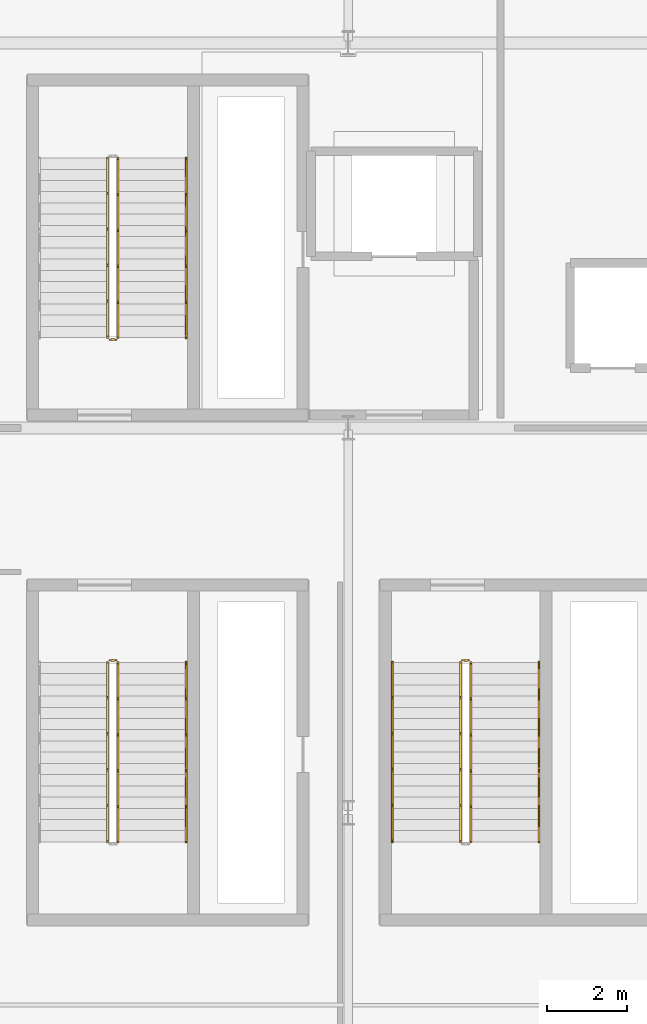
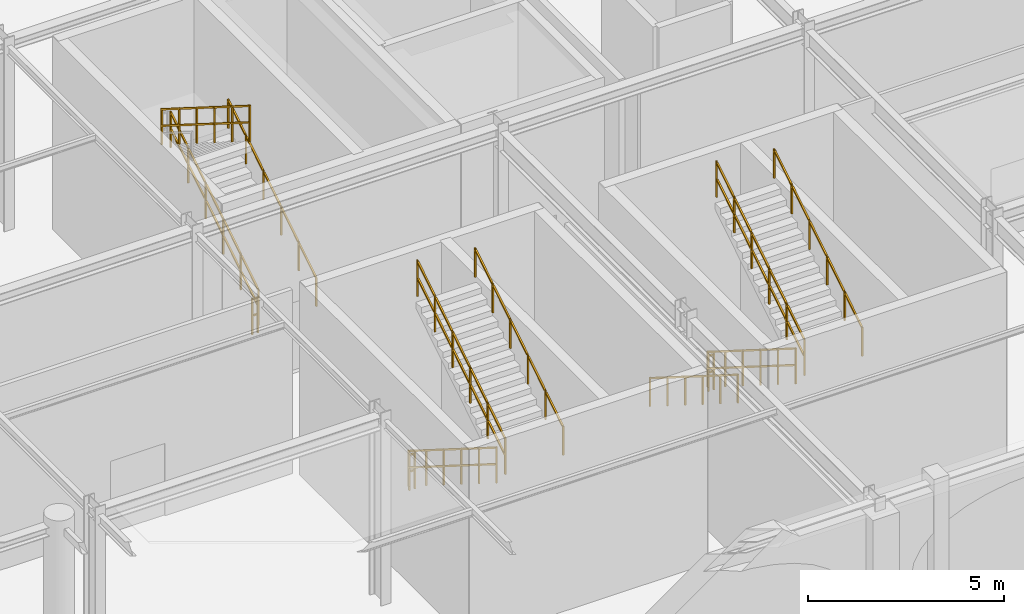
# One storey, part 107 of 113: 13 railings.
"""IFC4 building model written with IfcOpenShell, lengths in metres."""

import ifcopenshell
import ifcopenshell.guid

model = None  # the IFC model being written
_history = None  # IfcOwnerHistory: only IFC2X3 demands one
_inside = {}  # id of a spatial element -> (the spatial element, [elements in it])
_under = {}  # id of a project, library or spatial element -> (it, [spatial elements below it])
_declared = {}  # id of a project -> (the project, [libraries it declares])
_typed = {}  # id of a type object -> (the type object, [elements of that type])
_made_of = {}  # id of a material, layer set ... -> (it, [elements and type objects made of it])


def new_model(schema):
    """Start an empty IFC model of exactly this schema.

    Asked for "IFC4X3", IfcOpenShell would pick the latest addendum, in which some entities
    have other attributes; the version numbers below select the first issue.
    IFC2X3 requires an IfcOwnerHistory on every rooted entity: one is made here for all.
    """
    global model, _history
    if schema == "IFC4X3":
        model = ifcopenshell.file(schema_version=(4, 3, 0, 0))
    else:
        model = ifcopenshell.file(schema=schema)
    _inside.clear()
    _under.clear()
    _declared.clear()
    _typed.clear()
    _made_of.clear()
    _history = None
    if model.schema == "IFC2X3":
        org = make("IfcOrganization", Name="unknown")
        user = make(
            "IfcPersonAndOrganization",
            ThePerson=make("IfcPerson", FamilyName="unknown"),
            TheOrganization=org,
        )
        app = make(
            "IfcApplication",
            ApplicationDeveloper=org,
            Version="unknown",
            ApplicationFullName="unknown",
            ApplicationIdentifier="unknown",
        )
        _history = make(
            "IfcOwnerHistory",
            OwningUser=user,
            OwningApplication=app,
            ChangeAction="ADDED",
            CreationDate=0,
        )
    return model


def make(cls, **values):
    """One entity of the class cls with the attributes given. An attribute that is None is left unset."""
    return model.create_entity(
        cls, **{name: value for name, value in values.items() if value is not None}
    )


def rooted(cls, **values):
    """An entity with a GlobalId (a new one), such as an element, a storey or a relation."""
    return make(cls, GlobalId=ifcopenshell.guid.new(), OwnerHistory=_history, **values)


def si_unit(unit_type, name, prefix=None):
    """IfcSIUnit, for example si_unit("LENGTHUNIT", "METRE", prefix="MILLI")."""
    return make("IfcSIUnit", UnitType=unit_type, Prefix=prefix, Name=name)


def assignment(units):
    """IfcUnitAssignment: the units of a project."""
    return None if units is None else make("IfcUnitAssignment", Units=units)


def point(xyz):
    """IfcCartesianPoint."""
    return None if xyz is None else make("IfcCartesianPoint", Coordinates=xyz)


def direction(xyz):
    """IfcDirection."""
    return None if xyz is None else make("IfcDirection", DirectionRatios=xyz)


def frame(location, z_axis=None, x_axis=None):
    """IfcAxis2Placement3D, a coordinate frame: its origin and axes. An axis left out is left unset."""
    return make(
        "IfcAxis2Placement3D",
        Location=point(location),
        Axis=direction(z_axis),
        RefDirection=direction(x_axis),
    )


def frame_2d(location, x_axis=None):
    """IfcAxis2Placement2D, a coordinate frame in the plane: its origin and x axis."""
    return make(
        "IfcAxis2Placement2D", Location=point(location), RefDirection=direction(x_axis)
    )


def origin():
    """The frame at (0, 0, 0) with its axes left unset."""
    return frame((0.0, 0.0, 0.0))


def origin_2d():
    """The frame at (0, 0) in the plane with its x axis left unset."""
    return frame_2d((0.0, 0.0))


def place(relative_to, where):
    """IfcLocalPlacement: puts the frame where relative to a parent placement (None: the world)."""
    return make(
        "IfcLocalPlacement", PlacementRelTo=relative_to, RelativePlacement=where
    )


def context(
    kind, dimensions, precision=None, world=None, true_north=None, identifier=None
):
    """IfcGeometricRepresentationContext, for example the 3D "Model" context."""
    return make(
        "IfcGeometricRepresentationContext",
        ContextIdentifier=identifier,
        ContextType=kind,
        CoordinateSpaceDimension=dimensions,
        Precision=precision,
        WorldCoordinateSystem=world,
        TrueNorth=true_north,
    )


def subcontext(parent, identifier, kind, view, scale=None):
    """IfcGeometricRepresentationSubContext, for example "Body" below "Model"."""
    return make(
        "IfcGeometricRepresentationSubContext",
        ContextIdentifier=identifier,
        ContextType=kind,
        ParentContext=parent,
        TargetScale=scale,
        TargetView=view,
    )


def project(units=None, contexts=None):
    """IfcProject with its units and contexts."""
    return rooted(
        "IfcProject",
        Name="project",
        RepresentationContexts=contexts,
        UnitsInContext=assignment(units),
    )


def spatial(cls, under=None, at=None, **own):
    """A site, building, storey or space (cls), placed at a placement, below another one or the project."""
    s = rooted(cls, ObjectPlacement=at, **own)
    if under is not None:
        _under.setdefault(under.id(), (under, []))[1].append(s)
    return s


def profile(cls, at=None, kind="AREA", **sizes):
    """A parametric profile (cls). Its sizes go by their IFC names, for example OverallWidth=200.0."""
    return make(cls, ProfileType=kind, Position=at, **sizes)


def rectangle(**sizes):
    """IfcRectangleProfileDef."""
    return profile("IfcRectangleProfileDef", **sizes)


def extrude(swept, where, along, depth):
    """IfcExtrudedAreaSolid: the profile swept, set in the frame where, extruded along a direction by depth."""
    return make(
        "IfcExtrudedAreaSolid",
        SweptArea=swept,
        Position=where,
        ExtrudedDirection=direction(along),
        Depth=depth,
    )


def shape(context_of_items, identifier, shape_type, items):
    """IfcShapeRepresentation: the items that make up one representation, for example the "Body"."""
    return make(
        "IfcShapeRepresentation",
        ContextOfItems=context_of_items,
        RepresentationIdentifier=identifier,
        RepresentationType=shape_type,
        Items=items,
    )


def material(Name=None, Category=None):
    """IfcMaterial."""
    return make("IfcMaterial", Name=Name, Category=Category)


def made_of(thing, what):
    """Note that an element or type object is made of a material, layer set ...; save() writes the relation."""
    if what is not None:
        _made_of.setdefault(what.id(), (what, []))[1].append(thing)
    return thing


def type_object(cls, material=None, **own):
    """A type object (cls), such as IfcWallType, which elements share."""
    return made_of(rooted(cls, **own), material)


def element(
    cls,
    number,
    at=None,
    inside=None,
    cuts=None,
    type_object=None,
    material=None,
    context=None,
    identifier="Body",
    shape_type=None,
    held_by="IfcProductDefinitionShape",
    body=None,
    shapes=None,
    **own,
):
    """One element of the class cls, such as IfcWall. Its Tag is "e" and its number.

    at: its placement. inside: the storey or other place that contains it. cuts: it is an
    opening in that element (IfcRelVoidsElement). A single representation is given by context,
    identifier, shape_type and body (its items); several are given by shapes. held_by: the class
    of the entity that holds the representations. save() writes the other relations.
    """
    e = rooted(cls, Tag="e%d" % number, ObjectPlacement=at, **own)
    if body is not None:
        shapes = [shape(context, identifier, shape_type, body)]
    if shapes is not None:
        e.Representation = make(held_by, Representations=shapes)
    if inside is not None:
        _inside.setdefault(inside.id(), (inside, []))[1].append(e)
    if cuts is not None:
        rooted(
            "IfcRelVoidsElement", RelatingBuildingElement=cuts, RelatedOpeningElement=e
        )
    if type_object is not None:
        _typed.setdefault(type_object.id(), (type_object, []))[1].append(e)
    return made_of(e, material)


def aggregate(whole, parts):
    """IfcRelAggregates: a whole, such as a stair, and the parts it consists of."""
    return rooted("IfcRelAggregates", RelatingObject=whole, RelatedObjects=parts)


def save(model, path):
    """Write the relations noted so far, then the file.

    IfcRelAggregates (storeys below a building ...), IfcRelContainedInSpatialStructure (elements
    in a storey), IfcRelDefinesByType, IfcRelAssociatesMaterial and IfcRelDeclares: one each for
    every whole, place, type object, material and project.
    """
    for whole, parts in _under.values():
        aggregate(whole, parts)
    for where, things in _inside.values():
        rooted(
            "IfcRelContainedInSpatialStructure",
            RelatedElements=things,
            RelatingStructure=where,
        )
    for kind, things in _typed.values():
        rooted("IfcRelDefinesByType", RelatedObjects=things, RelatingType=kind)
    for what, things in _made_of.values():
        rooted("IfcRelAssociatesMaterial", RelatedObjects=things, RelatingMaterial=what)
    for by, libraries in _declared.values():
        rooted("IfcRelDeclares", RelatingContext=by, RelatedDefinitions=libraries)
    model.write(path)


model = new_model("IFC4")

# Units and contexts
model_context = context("Model", 3, precision=1e-05, world=origin(), true_north=direction((0.0, 1.0)))
body_context = subcontext(model_context, "Body", "Model", "MODEL_VIEW")
ifc_project = project(units=[si_unit("LENGTHUNIT", "METRE"), si_unit("AREAUNIT", "SQUARE_METRE"), si_unit("VOLUMEUNIT", "CUBIC_METRE"), si_unit("PLANEANGLEUNIT", "RADIAN"), si_unit("MASSUNIT", "GRAM", prefix="KILO")], contexts=[model_context])

# Site, building, storey
site_placement = place(None, origin())
site = spatial("IfcSite", under=ifc_project, at=site_placement, CompositionType="ELEMENT")
building_placement = place(site_placement, origin())
building = spatial("IfcBuilding", under=site, at=building_placement, Name="Myrtia Square Station", CompositionType="ELEMENT")
storey_placement = place(building_placement, origin())
storey = spatial("IfcBuildingStorey", under=building, at=storey_placement, Name="L00", CompositionType="ELEMENT", Elevation=0.0)

# Railings
ifc_material_1 = material(Name="Dark bronze anodised aluminium", Category="aluminium")
railing_type_1 = type_object("IfcRailingType", Name="RL-HANDRAIL-900", PredefinedType="HANDRAIL", material=ifc_material_1)
railing_1_placement = place(storey_placement, frame((130.9599609375, 107.85009765625, 0.176513671875)))
element("IfcRailing", 1, at=railing_1_placement, inside=storey, type_object=railing_type_1, Name="L00 ST07 stair handrail 1", PredefinedType="HANDRAIL", context=body_context, shape_type="SweptSolid", body=[
    extrude(rectangle(XDim=0.048095703125, YDim=0.048095703125, at=origin_2d()), frame((0.0, 0.029296875, 0.894287109375), z_axis=(0.0, 0.845997938375, 0.533186166611), x_axis=(-1.0, 0.0, 0.0)), (0.0, 0.0, 1.0), 0.98974609375),
    extrude(rectangle(XDim=0.048095703125, YDim=0.048095703125, at=origin_2d()), frame((0.0, 0.92529296875, 1.458984375), z_axis=(0.0, 0.845997938375, 0.533186166611), x_axis=(-1.0, 0.0, 0.0)), (0.0, 0.0, 1.0), 0.98974609375),
    extrude(rectangle(XDim=0.048095703125, YDim=0.048095703125, at=origin_2d()), frame((0.0, 1.8212890625, 2.023681640625), z_axis=(0.0, 0.845997938375, 0.533186166611), x_axis=(-1.0, 0.0, 0.0)), (0.0, 0.0, 1.0), 0.98974609375),
    extrude(rectangle(XDim=0.048095703125, YDim=0.048095703125, at=origin_2d()), frame((0.0, 2.71728515625, 2.58837890625), z_axis=(0.0, 0.845997938375, 0.533186166611), x_axis=(-1.0, 0.0, 0.0)), (0.0, 0.0, 1.0), 0.98974609375),
    extrude(rectangle(XDim=0.048095703125, YDim=0.048095703125, at=origin_2d()), frame((0.0, 3.61328125, 3.153076171875), z_axis=(0.0, 0.845997938375, 0.533186166611), x_axis=(-1.0, 0.0, 0.0)), (0.0, 0.0, 1.0), 0.98974609375),
    extrude(rectangle(XDim=0.0439453125, YDim=0.0439453125, at=origin_2d()), origin(), (0.0, 0.0, 1.0), 0.89990234375),
    extrude(rectangle(XDim=0.0439453125, YDim=0.0439453125, at=origin_2d()), frame((0.0, 0.89599609375, 0.564697265625)), (0.0, 0.0, 1.0), 0.89990234375),
    extrude(rectangle(XDim=0.0439453125, YDim=0.0439453125, at=origin_2d()), frame((0.0, 1.7919921875, 1.12939453125)), (0.0, 0.0, 1.0), 0.89990234375),
    extrude(rectangle(XDim=0.0439453125, YDim=0.0439453125, at=origin_2d()), frame((0.0, 2.68798828125, 1.694091796875)), (0.0, 0.0, 1.0), 0.89990234375),
    extrude(rectangle(XDim=0.0439453125, YDim=0.0439453125, at=origin_2d()), frame((0.0, 3.583984375, 2.2587890625)), (0.0, 0.0, 1.0), 0.89990234375),
    extrude(rectangle(XDim=0.0439453125, YDim=0.0439453125, at=origin_2d()), frame((0.0, 4.47998046875, 2.823486328125)), (0.0, 0.0, 1.0), 0.89990234375),
])
railing_2_placement = place(storey_placement, frame((130.9599609375, 95.27001953125, 3.176513671875)))
element("IfcRailing", 2, at=railing_2_placement, inside=storey, type_object=railing_type_1, Name="L00 ST12 stair handrail 2", PredefinedType="HANDRAIL", context=body_context, shape_type="SweptSolid", body=[
    extrude(rectangle(XDim=0.048095703125, YDim=0.048095703125, at=origin_2d()), frame((0.0, 0.029296875, 0.894287109375), z_axis=(0.0, 0.845997938375, 0.533186166611), x_axis=(-1.0, 0.0, 0.0)), (0.0, 0.0, 1.0), 0.98974609375),
    extrude(rectangle(XDim=0.048095703125, YDim=0.048095703125, at=origin_2d()), frame((0.0, 0.92529296875, 1.458984375), z_axis=(0.0, 0.845997938375, 0.533186166611), x_axis=(-1.0, 0.0, 0.0)), (0.0, 0.0, 1.0), 0.98974609375),
    extrude(rectangle(XDim=0.048095703125, YDim=0.048095703125, at=origin_2d()), frame((0.0, 1.8212890625, 2.023681640625), z_axis=(0.0, 0.845997938375, 0.533186166611), x_axis=(-1.0, 0.0, 0.0)), (0.0, 0.0, 1.0), 0.98974609375),
    extrude(rectangle(XDim=0.048095703125, YDim=0.048095703125, at=origin_2d()), frame((0.0, 2.71728515625, 2.58837890625), z_axis=(0.0, 0.845997938375, 0.533186166611), x_axis=(-1.0, 0.0, 0.0)), (0.0, 0.0, 1.0), 0.98974609375),
    extrude(rectangle(XDim=0.048095703125, YDim=0.048095703125, at=origin_2d()), frame((0.0, 3.61328125, 3.153076171875), z_axis=(0.0, 0.845997938375, 0.533186166611), x_axis=(-1.0, 0.0, 0.0)), (0.0, 0.0, 1.0), 0.98974609375),
    extrude(rectangle(XDim=0.0439453125, YDim=0.0439453125, at=origin_2d()), origin(), (0.0, 0.0, 1.0), 0.89990234375),
    extrude(rectangle(XDim=0.0439453125, YDim=0.0439453125, at=origin_2d()), frame((0.0, 0.89599609375, 0.564697265625)), (0.0, 0.0, 1.0), 0.89990234375),
    extrude(rectangle(XDim=0.0439453125, YDim=0.0439453125, at=origin_2d()), frame((0.0, 1.7919921875, 1.12939453125)), (0.0, 0.0, 1.0), 0.89990234375),
    extrude(rectangle(XDim=0.0439453125, YDim=0.0439453125, at=origin_2d()), frame((0.0, 2.68798828125, 1.694091796875)), (0.0, 0.0, 1.0), 0.89990234375),
    extrude(rectangle(XDim=0.0439453125, YDim=0.0439453125, at=origin_2d()), frame((0.0, 3.583984375, 2.2587890625)), (0.0, 0.0, 1.0), 0.89990234375),
    extrude(rectangle(XDim=0.0439453125, YDim=0.0439453125, at=origin_2d()), frame((0.0, 4.47998046875, 2.823486328125)), (0.0, 0.0, 1.0), 0.89990234375),
])
railing_3_placement = place(storey_placement, frame((136.10009765625, 99.75, 0.176513671875)))
element("IfcRailing", 3, at=railing_3_placement, inside=storey, type_object=railing_type_1, Name="L00 ST13 stair handrail 1", PredefinedType="HANDRAIL", context=body_context, shape_type="SweptSolid", body=[
    extrude(rectangle(XDim=0.048095703125, YDim=0.048095703125, at=origin_2d()), frame((0.0, -0.029296875, 0.894287109375), z_axis=(0.0, -0.845997938375, 0.533186166611), x_axis=(1.0, 0.0, 0.0)), (0.0, 0.0, 1.0), 0.98974609375),
    extrude(rectangle(XDim=0.048095703125, YDim=0.048095703125, at=origin_2d()), frame((0.0, -0.92529296875, 1.458984375), z_axis=(0.0, -0.845997938375, 0.533186166611), x_axis=(1.0, 0.0, 0.0)), (0.0, 0.0, 1.0), 0.98974609375),
    extrude(rectangle(XDim=0.048095703125, YDim=0.048095703125, at=origin_2d()), frame((0.0, -1.8212890625, 2.023681640625), z_axis=(0.0, -0.845997938375, 0.533186166611), x_axis=(1.0, 0.0, 0.0)), (0.0, 0.0, 1.0), 0.98974609375),
    extrude(rectangle(XDim=0.048095703125, YDim=0.048095703125, at=origin_2d()), frame((0.0, -2.71728515625, 2.58837890625), z_axis=(0.0, -0.845997938375, 0.533186166611), x_axis=(1.0, 0.0, 0.0)), (0.0, 0.0, 1.0), 0.98974609375),
    extrude(rectangle(XDim=0.048095703125, YDim=0.048095703125, at=origin_2d()), frame((0.0, -3.61328125, 3.153076171875), z_axis=(0.0, -0.845997938375, 0.533186166611), x_axis=(1.0, 0.0, 0.0)), (0.0, 0.0, 1.0), 0.98974609375),
    extrude(rectangle(XDim=0.0439453125, YDim=0.0439453125, at=origin_2d()), origin(), (0.0, 0.0, 1.0), 0.89990234375),
    extrude(rectangle(XDim=0.0439453125, YDim=0.0439453125, at=origin_2d()), frame((0.0, -0.89599609375, 0.564697265625)), (0.0, 0.0, 1.0), 0.89990234375),
    extrude(rectangle(XDim=0.0439453125, YDim=0.0439453125, at=origin_2d()), frame((0.0, -1.7919921875, 1.12939453125)), (0.0, 0.0, 1.0), 0.89990234375),
    extrude(rectangle(XDim=0.0439453125, YDim=0.0439453125, at=origin_2d()), frame((0.0, -2.68798828125, 1.694091796875)), (0.0, 0.0, 1.0), 0.89990234375),
    extrude(rectangle(XDim=0.0439453125, YDim=0.0439453125, at=origin_2d()), frame((0.0, -3.583984375, 2.2587890625)), (0.0, 0.0, 1.0), 0.89990234375),
    extrude(rectangle(XDim=0.0439453125, YDim=0.0439453125, at=origin_2d()), frame((0.0, -4.47998046875, 2.823486328125)), (0.0, 0.0, 1.0), 0.89990234375),
])
railing_4_placement = place(storey_placement, frame((139.760009765625, 95.27001953125, 3.176513671875)))
element("IfcRailing", 4, at=railing_4_placement, inside=storey, type_object=railing_type_1, Name="L00 ST13 stair handrail 2", PredefinedType="HANDRAIL", context=body_context, shape_type="SweptSolid", body=[
    extrude(rectangle(XDim=0.048095703125, YDim=0.048095703125, at=origin_2d()), frame((0.0, 0.029296875, 0.894287109375), z_axis=(0.0, 0.845997938375, 0.533186166611), x_axis=(-1.0, 0.0, 0.0)), (0.0, 0.0, 1.0), 0.98974609375),
    extrude(rectangle(XDim=0.048095703125, YDim=0.048095703125, at=origin_2d()), frame((0.0, 0.92529296875, 1.458984375), z_axis=(0.0, 0.845997938375, 0.533186166611), x_axis=(-1.0, 0.0, 0.0)), (0.0, 0.0, 1.0), 0.98974609375),
    extrude(rectangle(XDim=0.048095703125, YDim=0.048095703125, at=origin_2d()), frame((0.0, 1.8212890625, 2.023681640625), z_axis=(0.0, 0.845997938375, 0.533186166611), x_axis=(-1.0, 0.0, 0.0)), (0.0, 0.0, 1.0), 0.98974609375),
    extrude(rectangle(XDim=0.048095703125, YDim=0.048095703125, at=origin_2d()), frame((0.0, 2.71728515625, 2.58837890625), z_axis=(0.0, 0.845997938375, 0.533186166611), x_axis=(-1.0, 0.0, 0.0)), (0.0, 0.0, 1.0), 0.98974609375),
    extrude(rectangle(XDim=0.048095703125, YDim=0.048095703125, at=origin_2d()), frame((0.0, 3.61328125, 3.153076171875), z_axis=(0.0, 0.845997938375, 0.533186166611), x_axis=(-1.0, 0.0, 0.0)), (0.0, 0.0, 1.0), 0.98974609375),
    extrude(rectangle(XDim=0.0439453125, YDim=0.0439453125, at=origin_2d()), origin(), (0.0, 0.0, 1.0), 0.89990234375),
    extrude(rectangle(XDim=0.0439453125, YDim=0.0439453125, at=origin_2d()), frame((0.0, 0.89599609375, 0.564697265625)), (0.0, 0.0, 1.0), 0.89990234375),
    extrude(rectangle(XDim=0.0439453125, YDim=0.0439453125, at=origin_2d()), frame((0.0, 1.7919921875, 1.12939453125)), (0.0, 0.0, 1.0), 0.89990234375),
    extrude(rectangle(XDim=0.0439453125, YDim=0.0439453125, at=origin_2d()), frame((0.0, 2.68798828125, 1.694091796875)), (0.0, 0.0, 1.0), 0.89990234375),
    extrude(rectangle(XDim=0.0439453125, YDim=0.0439453125, at=origin_2d()), frame((0.0, 3.583984375, 2.2587890625)), (0.0, 0.0, 1.0), 0.89990234375),
    extrude(rectangle(XDim=0.0439453125, YDim=0.0439453125, at=origin_2d()), frame((0.0, 4.47998046875, 2.823486328125)), (0.0, 0.0, 1.0), 0.89990234375),
])
ifc_material_2 = material(Name="Wrought iron", Category="steel")
railing_type_2 = type_object("IfcRailingType", Name="RL-INT-GUARD-1100", PredefinedType="BALUSTRADE", material=ifc_material_2)
railing_5_placement = place(storey_placement, frame((129.260009765625, 107.85009765625, 0.176513671875)))
element("IfcRailing", 5, at=railing_5_placement, inside=storey, type_object=railing_type_2, Name="L00 ST07 stair guard 1", PredefinedType="BALUSTRADE", context=body_context, shape_type="SweptSolid", body=[
    extrude(rectangle(XDim=0.048095703125, YDim=0.048095703125, at=origin_2d()), frame((0.0, 0.029296875, 1.114501953125), z_axis=(0.0, 0.845997938375, 0.533186166611), x_axis=(-1.0, 0.0, 0.0)), (0.0, 0.0, 1.0), 0.98974609375),
    extrude(rectangle(XDim=0.048095703125, YDim=0.048095703125, at=origin_2d()), frame((0.0, 0.029296875, 0.600830078125), z_axis=(0.0, 0.845997938375, 0.533186166611), x_axis=(-1.0, 0.0, 0.0)), (0.0, 0.0, 1.0), 0.98974609375),
    extrude(rectangle(XDim=0.048095703125, YDim=0.048095703125, at=origin_2d()), frame((0.0, 0.92529296875, 1.67919921875), z_axis=(0.0, 0.845997938375, 0.533186166611), x_axis=(-1.0, 0.0, 0.0)), (0.0, 0.0, 1.0), 0.98974609375),
    extrude(rectangle(XDim=0.048095703125, YDim=0.048095703125, at=origin_2d()), frame((0.0, 0.92529296875, 1.16552734375), z_axis=(0.0, 0.845997938375, 0.533186166611), x_axis=(-1.0, 0.0, 0.0)), (0.0, 0.0, 1.0), 0.98974609375),
    extrude(rectangle(XDim=0.048095703125, YDim=0.048095703125, at=origin_2d()), frame((0.0, 1.8212890625, 2.243896484375), z_axis=(0.0, 0.845997938375, 0.533186166611), x_axis=(-1.0, 0.0, 0.0)), (0.0, 0.0, 1.0), 0.98974609375),
    extrude(rectangle(XDim=0.048095703125, YDim=0.048095703125, at=origin_2d()), frame((0.0, 1.8212890625, 1.730224609375), z_axis=(0.0, 0.845997938375, 0.533186166611), x_axis=(-1.0, 0.0, 0.0)), (0.0, 0.0, 1.0), 0.98974609375),
    extrude(rectangle(XDim=0.048095703125, YDim=0.048095703125, at=origin_2d()), frame((0.0, 2.71728515625, 2.80859375), z_axis=(0.0, 0.845997938375, 0.533186166611), x_axis=(-1.0, 0.0, 0.0)), (0.0, 0.0, 1.0), 0.98974609375),
    extrude(rectangle(XDim=0.048095703125, YDim=0.048095703125, at=origin_2d()), frame((0.0, 2.71728515625, 2.294921875), z_axis=(0.0, 0.845997938375, 0.533186166611), x_axis=(-1.0, 0.0, 0.0)), (0.0, 0.0, 1.0), 0.98974609375),
    extrude(rectangle(XDim=0.048095703125, YDim=0.048095703125, at=origin_2d()), frame((0.0, 3.61328125, 3.373291015625), z_axis=(0.0, 0.845997938375, 0.533186166611), x_axis=(-1.0, 0.0, 0.0)), (0.0, 0.0, 1.0), 0.98974609375),
    extrude(rectangle(XDim=0.048095703125, YDim=0.048095703125, at=origin_2d()), frame((0.0, 3.61328125, 2.859619140625), z_axis=(0.0, 0.845997938375, 0.533186166611), x_axis=(-1.0, 0.0, 0.0)), (0.0, 0.0, 1.0), 0.98974609375),
    extrude(rectangle(XDim=0.0439453125, YDim=0.0439453125, at=origin_2d()), origin(), (0.0, 0.0, 1.0), 1.1201171875),
    extrude(rectangle(XDim=0.0439453125, YDim=0.0439453125, at=origin_2d()), frame((0.0, 0.89599609375, 0.564697265625)), (0.0, 0.0, 1.0), 1.1201171875),
    extrude(rectangle(XDim=0.0439453125, YDim=0.0439453125, at=origin_2d()), frame((0.0, 1.7919921875, 1.12939453125)), (0.0, 0.0, 1.0), 1.1201171875),
    extrude(rectangle(XDim=0.0439453125, YDim=0.0439453125, at=origin_2d()), frame((0.0, 2.68798828125, 1.694091796875)), (0.0, 0.0, 1.0), 1.1201171875),
    extrude(rectangle(XDim=0.0439453125, YDim=0.0439453125, at=origin_2d()), frame((0.0, 3.583984375, 2.2587890625)), (0.0, 0.0, 1.0), 1.1201171875),
    extrude(rectangle(XDim=0.0439453125, YDim=0.0439453125, at=origin_2d()), frame((0.0, 4.47998046875, 2.823486328125)), (0.0, 0.0, 1.0), 1.1201171875),
])
railing_6_placement = place(storey_placement, frame((129.0, 112.330078125, 3.176513671875)))
element("IfcRailing", 6, at=railing_6_placement, inside=storey, type_object=railing_type_2, Name="L00 ST07 stair guard 3", PredefinedType="BALUSTRADE", context=body_context, shape_type="SweptSolid", body=[
    extrude(rectangle(XDim=0.048095703125, YDim=0.048095703125, at=origin_2d()), frame((0.0, -0.029296875, 1.114501953125), z_axis=(0.0, -0.845997938375, 0.533186166611), x_axis=(1.0, 0.0, 0.0)), (0.0, 0.0, 1.0), 0.98974609375),
    extrude(rectangle(XDim=0.048095703125, YDim=0.048095703125, at=origin_2d()), frame((0.0, -0.029296875, 0.600830078125), z_axis=(0.0, -0.845997938375, 0.533186166611), x_axis=(1.0, 0.0, 0.0)), (0.0, 0.0, 1.0), 0.98974609375),
    extrude(rectangle(XDim=0.048095703125, YDim=0.048095703125, at=origin_2d()), frame((0.0, -0.92529296875, 1.67919921875), z_axis=(0.0, -0.845997938375, 0.533186166611), x_axis=(1.0, 0.0, 0.0)), (0.0, 0.0, 1.0), 0.98974609375),
    extrude(rectangle(XDim=0.048095703125, YDim=0.048095703125, at=origin_2d()), frame((0.0, -0.92529296875, 1.16552734375), z_axis=(0.0, -0.845997938375, 0.533186166611), x_axis=(1.0, 0.0, 0.0)), (0.0, 0.0, 1.0), 0.98974609375),
    extrude(rectangle(XDim=0.048095703125, YDim=0.048095703125, at=origin_2d()), frame((0.0, -1.8212890625, 2.243896484375), z_axis=(0.0, -0.845997938375, 0.533186166611), x_axis=(1.0, 0.0, 0.0)), (0.0, 0.0, 1.0), 0.98974609375),
    extrude(rectangle(XDim=0.048095703125, YDim=0.048095703125, at=origin_2d()), frame((0.0, -1.8212890625, 1.730224609375), z_axis=(0.0, -0.845997938375, 0.533186166611), x_axis=(1.0, 0.0, 0.0)), (0.0, 0.0, 1.0), 0.98974609375),
    extrude(rectangle(XDim=0.048095703125, YDim=0.048095703125, at=origin_2d()), frame((0.0, -2.71728515625, 2.80859375), z_axis=(0.0, -0.845997938375, 0.533186166611), x_axis=(1.0, 0.0, 0.0)), (0.0, 0.0, 1.0), 0.98974609375),
    extrude(rectangle(XDim=0.048095703125, YDim=0.048095703125, at=origin_2d()), frame((0.0, -2.71728515625, 2.294921875), z_axis=(0.0, -0.845997938375, 0.533186166611), x_axis=(1.0, 0.0, 0.0)), (0.0, 0.0, 1.0), 0.98974609375),
    extrude(rectangle(XDim=0.048095703125, YDim=0.048095703125, at=origin_2d()), frame((0.0, -3.61328125, 3.373291015625), z_axis=(0.0, -0.845997938375, 0.533186166611), x_axis=(1.0, 0.0, 0.0)), (0.0, 0.0, 1.0), 0.98974609375),
    extrude(rectangle(XDim=0.048095703125, YDim=0.048095703125, at=origin_2d()), frame((0.0, -3.61328125, 2.859619140625), z_axis=(0.0, -0.845997938375, 0.533186166611), x_axis=(1.0, 0.0, 0.0)), (0.0, 0.0, 1.0), 0.98974609375),
    extrude(rectangle(XDim=0.0439453125, YDim=0.0439453125, at=origin_2d()), origin(), (0.0, 0.0, 1.0), 1.1201171875),
    extrude(rectangle(XDim=0.0439453125, YDim=0.0439453125, at=origin_2d()), frame((0.0, -0.89599609375, 0.564697265625)), (0.0, 0.0, 1.0), 1.1201171875),
    extrude(rectangle(XDim=0.0439453125, YDim=0.0439453125, at=origin_2d()), frame((0.0, -1.7919921875, 1.12939453125)), (0.0, 0.0, 1.0), 1.1201171875),
    extrude(rectangle(XDim=0.0439453125, YDim=0.0439453125, at=origin_2d()), frame((0.0, -2.68798828125, 1.694091796875)), (0.0, 0.0, 1.0), 1.1201171875),
    extrude(rectangle(XDim=0.0439453125, YDim=0.0439453125, at=origin_2d()), frame((0.0, -3.583984375, 2.2587890625)), (0.0, 0.0, 1.0), 1.1201171875),
    extrude(rectangle(XDim=0.0439453125, YDim=0.0439453125, at=origin_2d()), frame((0.0, -4.47998046875, 2.823486328125)), (0.0, 0.0, 1.0), 1.1201171875),
])
railing_7_placement = place(storey_placement, frame((129.2099609375, 107.800048828125, 0.0)))
element("IfcRailing", 7, at=railing_7_placement, inside=storey, type_object=railing_type_2, Name="L00 ST07 stair guard 4", PredefinedType="BALUSTRADE", context=body_context, shape_type="SweptSolid", body=[
    extrude(rectangle(XDim=0.048095703125, YDim=0.048095703125, at=origin_2d()), frame((-0.03466796875, 0.0, 1.09619140625), z_axis=(-1.0, 0.0, 0.0), x_axis=(0.0, -1.0, 0.0)), (0.0, 0.0, 1.0), 0.090576171875),
    extrude(rectangle(XDim=0.048095703125, YDim=0.048095703125, at=origin_2d()), frame((-0.03466796875, 0.0, 0.58251953125), z_axis=(-1.0, 0.0, 0.0), x_axis=(0.0, -1.0, 0.0)), (0.0, 0.0, 1.0), 0.090576171875),
    extrude(rectangle(XDim=0.0439453125, YDim=0.0439453125, at=origin_2d()), origin(), (0.0, 0.0, 1.0), 1.1201171875),
    extrude(rectangle(XDim=0.0439453125, YDim=0.0439453125, at=origin_2d()), frame((-0.159912109375, 0.0, 0.0)), (0.0, 0.0, 1.0), 1.1201171875),
])
railing_8_placement = place(storey_placement, frame((129.0, 99.75, 0.176513671875)))
element("IfcRailing", 8, at=railing_8_placement, inside=storey, type_object=railing_type_2, Name="L00 ST12 stair guard 1", PredefinedType="BALUSTRADE", context=body_context, shape_type="SweptSolid", body=[
    extrude(rectangle(XDim=0.048095703125, YDim=0.048095703125, at=origin_2d()), frame((0.0, -0.029296875, 1.114501953125), z_axis=(0.0, -0.845997938375, 0.533186166611), x_axis=(1.0, 0.0, 0.0)), (0.0, 0.0, 1.0), 0.98974609375),
    extrude(rectangle(XDim=0.048095703125, YDim=0.048095703125, at=origin_2d()), frame((0.0, -0.029296875, 0.600830078125), z_axis=(0.0, -0.845997938375, 0.533186166611), x_axis=(1.0, 0.0, 0.0)), (0.0, 0.0, 1.0), 0.98974609375),
    extrude(rectangle(XDim=0.048095703125, YDim=0.048095703125, at=origin_2d()), frame((0.0, -0.92529296875, 1.67919921875), z_axis=(0.0, -0.845997938375, 0.533186166611), x_axis=(1.0, 0.0, 0.0)), (0.0, 0.0, 1.0), 0.98974609375),
    extrude(rectangle(XDim=0.048095703125, YDim=0.048095703125, at=origin_2d()), frame((0.0, -0.92529296875, 1.16552734375), z_axis=(0.0, -0.845997938375, 0.533186166611), x_axis=(1.0, 0.0, 0.0)), (0.0, 0.0, 1.0), 0.98974609375),
    extrude(rectangle(XDim=0.048095703125, YDim=0.048095703125, at=origin_2d()), frame((0.0, -1.8212890625, 2.243896484375), z_axis=(0.0, -0.845997938375, 0.533186166611), x_axis=(1.0, 0.0, 0.0)), (0.0, 0.0, 1.0), 0.98974609375),
    extrude(rectangle(XDim=0.048095703125, YDim=0.048095703125, at=origin_2d()), frame((0.0, -1.8212890625, 1.730224609375), z_axis=(0.0, -0.845997938375, 0.533186166611), x_axis=(1.0, 0.0, 0.0)), (0.0, 0.0, 1.0), 0.98974609375),
    extrude(rectangle(XDim=0.048095703125, YDim=0.048095703125, at=origin_2d()), frame((0.0, -2.71728515625, 2.80859375), z_axis=(0.0, -0.845997938375, 0.533186166611), x_axis=(1.0, 0.0, 0.0)), (0.0, 0.0, 1.0), 0.98974609375),
    extrude(rectangle(XDim=0.048095703125, YDim=0.048095703125, at=origin_2d()), frame((0.0, -2.71728515625, 2.294921875), z_axis=(0.0, -0.845997938375, 0.533186166611), x_axis=(1.0, 0.0, 0.0)), (0.0, 0.0, 1.0), 0.98974609375),
    extrude(rectangle(XDim=0.048095703125, YDim=0.048095703125, at=origin_2d()), frame((0.0, -3.61328125, 3.373291015625), z_axis=(0.0, -0.845997938375, 0.533186166611), x_axis=(1.0, 0.0, 0.0)), (0.0, 0.0, 1.0), 0.98974609375),
    extrude(rectangle(XDim=0.048095703125, YDim=0.048095703125, at=origin_2d()), frame((0.0, -3.61328125, 2.859619140625), z_axis=(0.0, -0.845997938375, 0.533186166611), x_axis=(1.0, 0.0, 0.0)), (0.0, 0.0, 1.0), 0.98974609375),
    extrude(rectangle(XDim=0.0439453125, YDim=0.0439453125, at=origin_2d()), origin(), (0.0, 0.0, 1.0), 1.1201171875),
    extrude(rectangle(XDim=0.0439453125, YDim=0.0439453125, at=origin_2d()), frame((0.0, -0.89599609375, 0.564697265625)), (0.0, 0.0, 1.0), 1.1201171875),
    extrude(rectangle(XDim=0.0439453125, YDim=0.0439453125, at=origin_2d()), frame((0.0, -1.7919921875, 1.12939453125)), (0.0, 0.0, 1.0), 1.1201171875),
    extrude(rectangle(XDim=0.0439453125, YDim=0.0439453125, at=origin_2d()), frame((0.0, -2.68798828125, 1.694091796875)), (0.0, 0.0, 1.0), 1.1201171875),
    extrude(rectangle(XDim=0.0439453125, YDim=0.0439453125, at=origin_2d()), frame((0.0, -3.583984375, 2.2587890625)), (0.0, 0.0, 1.0), 1.1201171875),
    extrude(rectangle(XDim=0.0439453125, YDim=0.0439453125, at=origin_2d()), frame((0.0, -4.47998046875, 2.823486328125)), (0.0, 0.0, 1.0), 1.1201171875),
])
railing_9_placement = place(storey_placement, frame((129.260009765625, 95.27001953125, 3.176513671875)))
element("IfcRailing", 9, at=railing_9_placement, inside=storey, type_object=railing_type_2, Name="L00 ST12 stair guard 3", PredefinedType="BALUSTRADE", context=body_context, shape_type="SweptSolid", body=[
    extrude(rectangle(XDim=0.048095703125, YDim=0.048095703125, at=origin_2d()), frame((0.0, 0.029296875, 1.114501953125), z_axis=(0.0, 0.845997938375, 0.533186166611), x_axis=(-1.0, 0.0, 0.0)), (0.0, 0.0, 1.0), 0.98974609375),
    extrude(rectangle(XDim=0.048095703125, YDim=0.048095703125, at=origin_2d()), frame((0.0, 0.029296875, 0.600830078125), z_axis=(0.0, 0.845997938375, 0.533186166611), x_axis=(-1.0, 0.0, 0.0)), (0.0, 0.0, 1.0), 0.98974609375),
    extrude(rectangle(XDim=0.048095703125, YDim=0.048095703125, at=origin_2d()), frame((0.0, 0.92529296875, 1.67919921875), z_axis=(0.0, 0.845997938375, 0.533186166611), x_axis=(-1.0, 0.0, 0.0)), (0.0, 0.0, 1.0), 0.98974609375),
    extrude(rectangle(XDim=0.048095703125, YDim=0.048095703125, at=origin_2d()), frame((0.0, 0.92529296875, 1.16552734375), z_axis=(0.0, 0.845997938375, 0.533186166611), x_axis=(-1.0, 0.0, 0.0)), (0.0, 0.0, 1.0), 0.98974609375),
    extrude(rectangle(XDim=0.048095703125, YDim=0.048095703125, at=origin_2d()), frame((0.0, 1.8212890625, 2.243896484375), z_axis=(0.0, 0.845997938375, 0.533186166611), x_axis=(-1.0, 0.0, 0.0)), (0.0, 0.0, 1.0), 0.98974609375),
    extrude(rectangle(XDim=0.048095703125, YDim=0.048095703125, at=origin_2d()), frame((0.0, 1.8212890625, 1.730224609375), z_axis=(0.0, 0.845997938375, 0.533186166611), x_axis=(-1.0, 0.0, 0.0)), (0.0, 0.0, 1.0), 0.98974609375),
    extrude(rectangle(XDim=0.048095703125, YDim=0.048095703125, at=origin_2d()), frame((0.0, 2.71728515625, 2.80859375), z_axis=(0.0, 0.845997938375, 0.533186166611), x_axis=(-1.0, 0.0, 0.0)), (0.0, 0.0, 1.0), 0.98974609375),
    extrude(rectangle(XDim=0.048095703125, YDim=0.048095703125, at=origin_2d()), frame((0.0, 2.71728515625, 2.294921875), z_axis=(0.0, 0.845997938375, 0.533186166611), x_axis=(-1.0, 0.0, 0.0)), (0.0, 0.0, 1.0), 0.98974609375),
    extrude(rectangle(XDim=0.048095703125, YDim=0.048095703125, at=origin_2d()), frame((0.0, 3.61328125, 3.373291015625), z_axis=(0.0, 0.845997938375, 0.533186166611), x_axis=(-1.0, 0.0, 0.0)), (0.0, 0.0, 1.0), 0.98974609375),
    extrude(rectangle(XDim=0.048095703125, YDim=0.048095703125, at=origin_2d()), frame((0.0, 3.61328125, 2.859619140625), z_axis=(0.0, 0.845997938375, 0.533186166611), x_axis=(-1.0, 0.0, 0.0)), (0.0, 0.0, 1.0), 0.98974609375),
    extrude(rectangle(XDim=0.0439453125, YDim=0.0439453125, at=origin_2d()), origin(), (0.0, 0.0, 1.0), 1.1201171875),
    extrude(rectangle(XDim=0.0439453125, YDim=0.0439453125, at=origin_2d()), frame((0.0, 0.89599609375, 0.564697265625)), (0.0, 0.0, 1.0), 1.1201171875),
    extrude(rectangle(XDim=0.0439453125, YDim=0.0439453125, at=origin_2d()), frame((0.0, 1.7919921875, 1.12939453125)), (0.0, 0.0, 1.0), 1.1201171875),
    extrude(rectangle(XDim=0.0439453125, YDim=0.0439453125, at=origin_2d()), frame((0.0, 2.68798828125, 1.694091796875)), (0.0, 0.0, 1.0), 1.1201171875),
    extrude(rectangle(XDim=0.0439453125, YDim=0.0439453125, at=origin_2d()), frame((0.0, 3.583984375, 2.2587890625)), (0.0, 0.0, 1.0), 1.1201171875),
    extrude(rectangle(XDim=0.0439453125, YDim=0.0439453125, at=origin_2d()), frame((0.0, 4.47998046875, 2.823486328125)), (0.0, 0.0, 1.0), 1.1201171875),
])
railing_10_placement = place(storey_placement, frame((129.050048828125, 99.800048828125, 0.0)))
element("IfcRailing", 10, at=railing_10_placement, inside=storey, type_object=railing_type_2, Name="L00 ST12 stair guard 4", PredefinedType="BALUSTRADE", context=body_context, shape_type="SweptSolid", body=[
    extrude(rectangle(XDim=0.048095703125, YDim=0.048095703125, at=origin_2d()), frame((0.03466796875, 0.0, 1.09619140625), z_axis=(1.0, 0.0, 0.0), x_axis=(0.0, 1.0, 0.0)), (0.0, 0.0, 1.0), 0.090576171875),
    extrude(rectangle(XDim=0.048095703125, YDim=0.048095703125, at=origin_2d()), frame((0.03466796875, 0.0, 0.58251953125), z_axis=(1.0, 0.0, 0.0), x_axis=(0.0, 1.0, 0.0)), (0.0, 0.0, 1.0), 0.090576171875),
    extrude(rectangle(XDim=0.0439453125, YDim=0.0439453125, at=origin_2d()), origin(), (0.0, 0.0, 1.0), 1.1201171875),
    extrude(rectangle(XDim=0.0439453125, YDim=0.0439453125, at=origin_2d()), frame((0.159912109375, 0.0, 0.0)), (0.0, 0.0, 1.0), 1.1201171875),
])
railing_11_placement = place(storey_placement, frame((137.800048828125, 99.75, 0.176513671875)))
element("IfcRailing", 11, at=railing_11_placement, inside=storey, type_object=railing_type_2, Name="L00 ST13 stair guard 1", PredefinedType="BALUSTRADE", context=body_context, shape_type="SweptSolid", body=[
    extrude(rectangle(XDim=0.048095703125, YDim=0.048095703125, at=origin_2d()), frame((0.0, -0.029296875, 1.114501953125), z_axis=(0.0, -0.845997938375, 0.533186166611), x_axis=(1.0, 0.0, 0.0)), (0.0, 0.0, 1.0), 0.98974609375),
    extrude(rectangle(XDim=0.048095703125, YDim=0.048095703125, at=origin_2d()), frame((0.0, -0.029296875, 0.600830078125), z_axis=(0.0, -0.845997938375, 0.533186166611), x_axis=(1.0, 0.0, 0.0)), (0.0, 0.0, 1.0), 0.98974609375),
    extrude(rectangle(XDim=0.048095703125, YDim=0.048095703125, at=origin_2d()), frame((0.0, -0.92529296875, 1.67919921875), z_axis=(0.0, -0.845997938375, 0.533186166611), x_axis=(1.0, 0.0, 0.0)), (0.0, 0.0, 1.0), 0.98974609375),
    extrude(rectangle(XDim=0.048095703125, YDim=0.048095703125, at=origin_2d()), frame((0.0, -0.92529296875, 1.16552734375), z_axis=(0.0, -0.845997938375, 0.533186166611), x_axis=(1.0, 0.0, 0.0)), (0.0, 0.0, 1.0), 0.98974609375),
    extrude(rectangle(XDim=0.048095703125, YDim=0.048095703125, at=origin_2d()), frame((0.0, -1.8212890625, 2.243896484375), z_axis=(0.0, -0.845997938375, 0.533186166611), x_axis=(1.0, 0.0, 0.0)), (0.0, 0.0, 1.0), 0.98974609375),
    extrude(rectangle(XDim=0.048095703125, YDim=0.048095703125, at=origin_2d()), frame((0.0, -1.8212890625, 1.730224609375), z_axis=(0.0, -0.845997938375, 0.533186166611), x_axis=(1.0, 0.0, 0.0)), (0.0, 0.0, 1.0), 0.98974609375),
    extrude(rectangle(XDim=0.048095703125, YDim=0.048095703125, at=origin_2d()), frame((0.0, -2.71728515625, 2.80859375), z_axis=(0.0, -0.845997938375, 0.533186166611), x_axis=(1.0, 0.0, 0.0)), (0.0, 0.0, 1.0), 0.98974609375),
    extrude(rectangle(XDim=0.048095703125, YDim=0.048095703125, at=origin_2d()), frame((0.0, -2.71728515625, 2.294921875), z_axis=(0.0, -0.845997938375, 0.533186166611), x_axis=(1.0, 0.0, 0.0)), (0.0, 0.0, 1.0), 0.98974609375),
    extrude(rectangle(XDim=0.048095703125, YDim=0.048095703125, at=origin_2d()), frame((0.0, -3.61328125, 3.373291015625), z_axis=(0.0, -0.845997938375, 0.533186166611), x_axis=(1.0, 0.0, 0.0)), (0.0, 0.0, 1.0), 0.98974609375),
    extrude(rectangle(XDim=0.048095703125, YDim=0.048095703125, at=origin_2d()), frame((0.0, -3.61328125, 2.859619140625), z_axis=(0.0, -0.845997938375, 0.533186166611), x_axis=(1.0, 0.0, 0.0)), (0.0, 0.0, 1.0), 0.98974609375),
    extrude(rectangle(XDim=0.0439453125, YDim=0.0439453125, at=origin_2d()), origin(), (0.0, 0.0, 1.0), 1.1201171875),
    extrude(rectangle(XDim=0.0439453125, YDim=0.0439453125, at=origin_2d()), frame((0.0, -0.89599609375, 0.564697265625)), (0.0, 0.0, 1.0), 1.1201171875),
    extrude(rectangle(XDim=0.0439453125, YDim=0.0439453125, at=origin_2d()), frame((0.0, -1.7919921875, 1.12939453125)), (0.0, 0.0, 1.0), 1.1201171875),
    extrude(rectangle(XDim=0.0439453125, YDim=0.0439453125, at=origin_2d()), frame((0.0, -2.68798828125, 1.694091796875)), (0.0, 0.0, 1.0), 1.1201171875),
    extrude(rectangle(XDim=0.0439453125, YDim=0.0439453125, at=origin_2d()), frame((0.0, -3.583984375, 2.2587890625)), (0.0, 0.0, 1.0), 1.1201171875),
    extrude(rectangle(XDim=0.0439453125, YDim=0.0439453125, at=origin_2d()), frame((0.0, -4.47998046875, 2.823486328125)), (0.0, 0.0, 1.0), 1.1201171875),
])
railing_12_placement = place(storey_placement, frame((138.06005859375, 95.27001953125, 3.176513671875)))
element("IfcRailing", 12, at=railing_12_placement, inside=storey, type_object=railing_type_2, Name="L00 ST13 stair guard 3", PredefinedType="BALUSTRADE", context=body_context, shape_type="SweptSolid", body=[
    extrude(rectangle(XDim=0.048095703125, YDim=0.048095703125, at=origin_2d()), frame((0.0, 0.029296875, 1.114501953125), z_axis=(0.0, 0.845997938375, 0.533186166611), x_axis=(-1.0, 0.0, 0.0)), (0.0, 0.0, 1.0), 0.98974609375),
    extrude(rectangle(XDim=0.048095703125, YDim=0.048095703125, at=origin_2d()), frame((0.0, 0.029296875, 0.600830078125), z_axis=(0.0, 0.845997938375, 0.533186166611), x_axis=(-1.0, 0.0, 0.0)), (0.0, 0.0, 1.0), 0.98974609375),
    extrude(rectangle(XDim=0.048095703125, YDim=0.048095703125, at=origin_2d()), frame((0.0, 0.92529296875, 1.67919921875), z_axis=(0.0, 0.845997938375, 0.533186166611), x_axis=(-1.0, 0.0, 0.0)), (0.0, 0.0, 1.0), 0.98974609375),
    extrude(rectangle(XDim=0.048095703125, YDim=0.048095703125, at=origin_2d()), frame((0.0, 0.92529296875, 1.16552734375), z_axis=(0.0, 0.845997938375, 0.533186166611), x_axis=(-1.0, 0.0, 0.0)), (0.0, 0.0, 1.0), 0.98974609375),
    extrude(rectangle(XDim=0.048095703125, YDim=0.048095703125, at=origin_2d()), frame((0.0, 1.8212890625, 2.243896484375), z_axis=(0.0, 0.845997938375, 0.533186166611), x_axis=(-1.0, 0.0, 0.0)), (0.0, 0.0, 1.0), 0.98974609375),
    extrude(rectangle(XDim=0.048095703125, YDim=0.048095703125, at=origin_2d()), frame((0.0, 1.8212890625, 1.730224609375), z_axis=(0.0, 0.845997938375, 0.533186166611), x_axis=(-1.0, 0.0, 0.0)), (0.0, 0.0, 1.0), 0.98974609375),
    extrude(rectangle(XDim=0.048095703125, YDim=0.048095703125, at=origin_2d()), frame((0.0, 2.71728515625, 2.80859375), z_axis=(0.0, 0.845997938375, 0.533186166611), x_axis=(-1.0, 0.0, 0.0)), (0.0, 0.0, 1.0), 0.98974609375),
    extrude(rectangle(XDim=0.048095703125, YDim=0.048095703125, at=origin_2d()), frame((0.0, 2.71728515625, 2.294921875), z_axis=(0.0, 0.845997938375, 0.533186166611), x_axis=(-1.0, 0.0, 0.0)), (0.0, 0.0, 1.0), 0.98974609375),
    extrude(rectangle(XDim=0.048095703125, YDim=0.048095703125, at=origin_2d()), frame((0.0, 3.61328125, 3.373291015625), z_axis=(0.0, 0.845997938375, 0.533186166611), x_axis=(-1.0, 0.0, 0.0)), (0.0, 0.0, 1.0), 0.98974609375),
    extrude(rectangle(XDim=0.048095703125, YDim=0.048095703125, at=origin_2d()), frame((0.0, 3.61328125, 2.859619140625), z_axis=(0.0, 0.845997938375, 0.533186166611), x_axis=(-1.0, 0.0, 0.0)), (0.0, 0.0, 1.0), 0.98974609375),
    extrude(rectangle(XDim=0.0439453125, YDim=0.0439453125, at=origin_2d()), origin(), (0.0, 0.0, 1.0), 1.1201171875),
    extrude(rectangle(XDim=0.0439453125, YDim=0.0439453125, at=origin_2d()), frame((0.0, 0.89599609375, 0.564697265625)), (0.0, 0.0, 1.0), 1.1201171875),
    extrude(rectangle(XDim=0.0439453125, YDim=0.0439453125, at=origin_2d()), frame((0.0, 1.7919921875, 1.12939453125)), (0.0, 0.0, 1.0), 1.1201171875),
    extrude(rectangle(XDim=0.0439453125, YDim=0.0439453125, at=origin_2d()), frame((0.0, 2.68798828125, 1.694091796875)), (0.0, 0.0, 1.0), 1.1201171875),
    extrude(rectangle(XDim=0.0439453125, YDim=0.0439453125, at=origin_2d()), frame((0.0, 3.583984375, 2.2587890625)), (0.0, 0.0, 1.0), 1.1201171875),
    extrude(rectangle(XDim=0.0439453125, YDim=0.0439453125, at=origin_2d()), frame((0.0, 4.47998046875, 2.823486328125)), (0.0, 0.0, 1.0), 1.1201171875),
])
railing_13_placement = place(storey_placement, frame((137.85009765625, 99.800048828125, 0.0)))
element("IfcRailing", 13, at=railing_13_placement, inside=storey, type_object=railing_type_2, Name="L00 ST13 stair guard 4", PredefinedType="BALUSTRADE", context=body_context, shape_type="SweptSolid", body=[
    extrude(rectangle(XDim=0.048095703125, YDim=0.048095703125, at=origin_2d()), frame((0.03466796875, 0.0, 1.09619140625), z_axis=(1.0, 0.0, 0.0), x_axis=(0.0, 1.0, 0.0)), (0.0, 0.0, 1.0), 0.090576171875),
    extrude(rectangle(XDim=0.048095703125, YDim=0.048095703125, at=origin_2d()), frame((0.03466796875, 0.0, 0.58251953125), z_axis=(1.0, 0.0, 0.0), x_axis=(0.0, 1.0, 0.0)), (0.0, 0.0, 1.0), 0.090576171875),
    extrude(rectangle(XDim=0.0439453125, YDim=0.0439453125, at=origin_2d()), origin(), (0.0, 0.0, 1.0), 1.1201171875),
    extrude(rectangle(XDim=0.0439453125, YDim=0.0439453125, at=origin_2d()), frame((0.159912109375, 0.0, 0.0)), (0.0, 0.0, 1.0), 1.1201171875),
])

save(model, "model.ifc")
